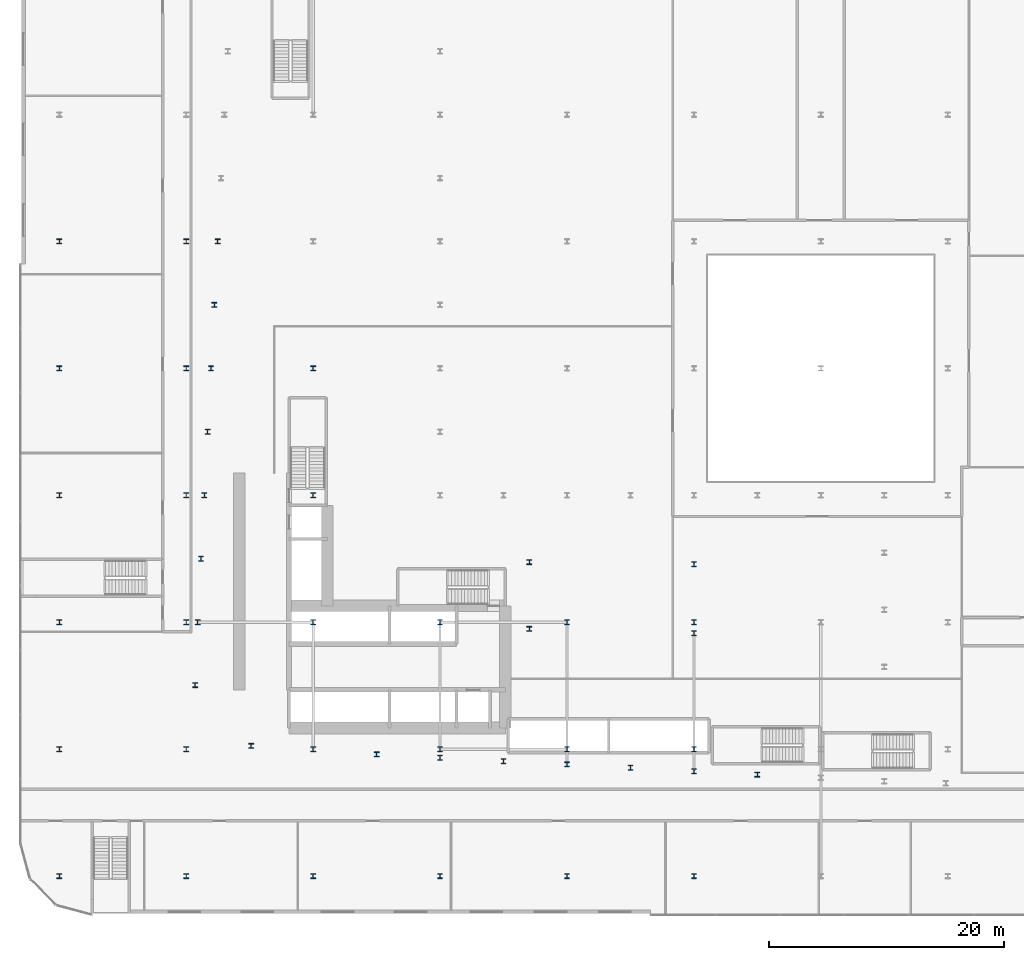
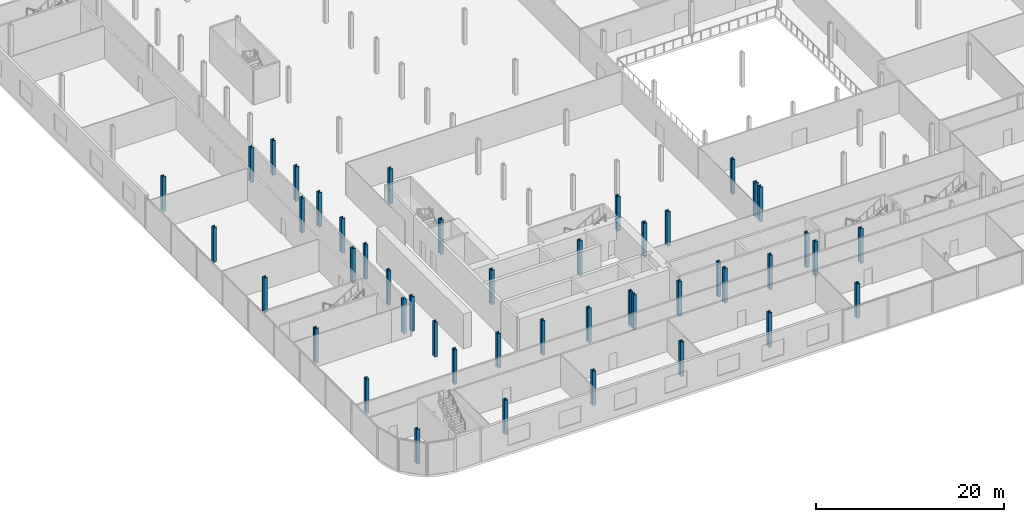
# One storey, part 1 of 47: 46 columns.
"""IFC4 building model written with IfcOpenShell, lengths in metres."""

import ifcopenshell
import ifcopenshell.guid

model = None  # the IFC model being written
_history = None  # IfcOwnerHistory: only IFC2X3 demands one
_inside = {}  # id of a spatial element -> (the spatial element, [elements in it])
_under = {}  # id of a project, library or spatial element -> (it, [spatial elements below it])
_declared = {}  # id of a project -> (the project, [libraries it declares])
_typed = {}  # id of a type object -> (the type object, [elements of that type])
_made_of = {}  # id of a material, layer set ... -> (it, [elements and type objects made of it])


def new_model(schema):
    """Start an empty IFC model of exactly this schema.

    Asked for "IFC4X3", IfcOpenShell would pick the latest addendum, in which some entities
    have other attributes; the version numbers below select the first issue.
    IFC2X3 requires an IfcOwnerHistory on every rooted entity: one is made here for all.
    """
    global model, _history
    if schema == "IFC4X3":
        model = ifcopenshell.file(schema_version=(4, 3, 0, 0))
    else:
        model = ifcopenshell.file(schema=schema)
    _inside.clear()
    _under.clear()
    _declared.clear()
    _typed.clear()
    _made_of.clear()
    _history = None
    if model.schema == "IFC2X3":
        org = make("IfcOrganization", Name="unknown")
        user = make(
            "IfcPersonAndOrganization",
            ThePerson=make("IfcPerson", FamilyName="unknown"),
            TheOrganization=org,
        )
        app = make(
            "IfcApplication",
            ApplicationDeveloper=org,
            Version="unknown",
            ApplicationFullName="unknown",
            ApplicationIdentifier="unknown",
        )
        _history = make(
            "IfcOwnerHistory",
            OwningUser=user,
            OwningApplication=app,
            ChangeAction="ADDED",
            CreationDate=0,
        )
    return model


def make(cls, **values):
    """One entity of the class cls with the attributes given. An attribute that is None is left unset."""
    return model.create_entity(
        cls, **{name: value for name, value in values.items() if value is not None}
    )


def rooted(cls, **values):
    """An entity with a GlobalId (a new one), such as an element, a storey or a relation."""
    return make(cls, GlobalId=ifcopenshell.guid.new(), OwnerHistory=_history, **values)


def si_unit(unit_type, name, prefix=None):
    """IfcSIUnit, for example si_unit("LENGTHUNIT", "METRE", prefix="MILLI")."""
    return make("IfcSIUnit", UnitType=unit_type, Prefix=prefix, Name=name)


def assignment(units):
    """IfcUnitAssignment: the units of a project."""
    return None if units is None else make("IfcUnitAssignment", Units=units)


def point(xyz):
    """IfcCartesianPoint."""
    return None if xyz is None else make("IfcCartesianPoint", Coordinates=xyz)


def direction(xyz):
    """IfcDirection."""
    return None if xyz is None else make("IfcDirection", DirectionRatios=xyz)


def frame(location, z_axis=None, x_axis=None):
    """IfcAxis2Placement3D, a coordinate frame: its origin and axes. An axis left out is left unset."""
    return make(
        "IfcAxis2Placement3D",
        Location=point(location),
        Axis=direction(z_axis),
        RefDirection=direction(x_axis),
    )


def frame_2d(location, x_axis=None):
    """IfcAxis2Placement2D, a coordinate frame in the plane: its origin and x axis."""
    return make(
        "IfcAxis2Placement2D", Location=point(location), RefDirection=direction(x_axis)
    )


def origin():
    """The frame at (0, 0, 0) with its axes left unset."""
    return frame((0.0, 0.0, 0.0))


def origin_2d():
    """The frame at (0, 0) in the plane with its x axis left unset."""
    return frame_2d((0.0, 0.0))


def place(relative_to, where):
    """IfcLocalPlacement: puts the frame where relative to a parent placement (None: the world)."""
    return make(
        "IfcLocalPlacement", PlacementRelTo=relative_to, RelativePlacement=where
    )


def context(
    kind, dimensions, precision=None, world=None, true_north=None, identifier=None
):
    """IfcGeometricRepresentationContext, for example the 3D "Model" context."""
    return make(
        "IfcGeometricRepresentationContext",
        ContextIdentifier=identifier,
        ContextType=kind,
        CoordinateSpaceDimension=dimensions,
        Precision=precision,
        WorldCoordinateSystem=world,
        TrueNorth=true_north,
    )


def subcontext(parent, identifier, kind, view, scale=None):
    """IfcGeometricRepresentationSubContext, for example "Body" below "Model"."""
    return make(
        "IfcGeometricRepresentationSubContext",
        ContextIdentifier=identifier,
        ContextType=kind,
        ParentContext=parent,
        TargetScale=scale,
        TargetView=view,
    )


def project(units=None, contexts=None):
    """IfcProject with its units and contexts."""
    return rooted(
        "IfcProject",
        Name="project",
        RepresentationContexts=contexts,
        UnitsInContext=assignment(units),
    )


def spatial(cls, under=None, at=None, **own):
    """A site, building, storey or space (cls), placed at a placement, below another one or the project."""
    s = rooted(cls, ObjectPlacement=at, **own)
    if under is not None:
        _under.setdefault(under.id(), (under, []))[1].append(s)
    return s


def profile(cls, at=None, kind="AREA", **sizes):
    """A parametric profile (cls). Its sizes go by their IFC names, for example OverallWidth=200.0."""
    return make(cls, ProfileType=kind, Position=at, **sizes)


def i_section(**sizes):
    """IfcIShapeProfileDef."""
    return profile("IfcIShapeProfileDef", **sizes)


def extrude(swept, where, along, depth):
    """IfcExtrudedAreaSolid: the profile swept, set in the frame where, extruded along a direction by depth."""
    return make(
        "IfcExtrudedAreaSolid",
        SweptArea=swept,
        Position=where,
        ExtrudedDirection=direction(along),
        Depth=depth,
    )


def shape(context_of_items, identifier, shape_type, items):
    """IfcShapeRepresentation: the items that make up one representation, for example the "Body"."""
    return make(
        "IfcShapeRepresentation",
        ContextOfItems=context_of_items,
        RepresentationIdentifier=identifier,
        RepresentationType=shape_type,
        Items=items,
    )


def material(Name=None, Category=None):
    """IfcMaterial."""
    return make("IfcMaterial", Name=Name, Category=Category)


def material_profile(
    of_material, cross_section, Name=None, Category=None, Priority=None
):
    """IfcMaterialProfile: a cross section and its material."""
    return make(
        "IfcMaterialProfile",
        Name=Name,
        Material=of_material,
        Profile=cross_section,
        Priority=Priority,
        Category=Category,
    )


def profile_set(profiles, Name=None, composite=None):
    """IfcMaterialProfileSet."""
    return make(
        "IfcMaterialProfileSet",
        Name=Name,
        MaterialProfiles=profiles,
        CompositeProfile=composite,
    )


def made_of(thing, what):
    """Note that an element or type object is made of a material, layer set ...; save() writes the relation."""
    if what is not None:
        _made_of.setdefault(what.id(), (what, []))[1].append(thing)
    return thing


def type_object(cls, material=None, **own):
    """A type object (cls), such as IfcWallType, which elements share."""
    return made_of(rooted(cls, **own), material)


def element(
    cls,
    number,
    at=None,
    inside=None,
    cuts=None,
    type_object=None,
    material=None,
    context=None,
    identifier="Body",
    shape_type=None,
    held_by="IfcProductDefinitionShape",
    body=None,
    shapes=None,
    **own,
):
    """One element of the class cls, such as IfcWall. Its Tag is "e" and its number.

    at: its placement. inside: the storey or other place that contains it. cuts: it is an
    opening in that element (IfcRelVoidsElement). A single representation is given by context,
    identifier, shape_type and body (its items); several are given by shapes. held_by: the class
    of the entity that holds the representations. save() writes the other relations.
    """
    e = rooted(cls, Tag="e%d" % number, ObjectPlacement=at, **own)
    if body is not None:
        shapes = [shape(context, identifier, shape_type, body)]
    if shapes is not None:
        e.Representation = make(held_by, Representations=shapes)
    if inside is not None:
        _inside.setdefault(inside.id(), (inside, []))[1].append(e)
    if cuts is not None:
        rooted(
            "IfcRelVoidsElement", RelatingBuildingElement=cuts, RelatedOpeningElement=e
        )
    if type_object is not None:
        _typed.setdefault(type_object.id(), (type_object, []))[1].append(e)
    return made_of(e, material)


def aggregate(whole, parts):
    """IfcRelAggregates: a whole, such as a stair, and the parts it consists of."""
    return rooted("IfcRelAggregates", RelatingObject=whole, RelatedObjects=parts)


def save(model, path):
    """Write the relations noted so far, then the file.

    IfcRelAggregates (storeys below a building ...), IfcRelContainedInSpatialStructure (elements
    in a storey), IfcRelDefinesByType, IfcRelAssociatesMaterial and IfcRelDeclares: one each for
    every whole, place, type object, material and project.
    """
    for whole, parts in _under.values():
        aggregate(whole, parts)
    for where, things in _inside.values():
        rooted(
            "IfcRelContainedInSpatialStructure",
            RelatedElements=things,
            RelatingStructure=where,
        )
    for kind, things in _typed.values():
        rooted("IfcRelDefinesByType", RelatedObjects=things, RelatingType=kind)
    for what, things in _made_of.values():
        rooted("IfcRelAssociatesMaterial", RelatedObjects=things, RelatingMaterial=what)
    for by, libraries in _declared.values():
        rooted("IfcRelDeclares", RelatingContext=by, RelatedDefinitions=libraries)
    model.write(path)


model = new_model("IFC4")

# Units and contexts
model_context = context("Model", 3, precision=1e-05, world=origin(), true_north=direction((0.0, 1.0)))
body_context = subcontext(model_context, "Body", "Model", "MODEL_VIEW")
ifc_project = project(units=[si_unit("LENGTHUNIT", "METRE"), si_unit("AREAUNIT", "SQUARE_METRE"), si_unit("VOLUMEUNIT", "CUBIC_METRE"), si_unit("PLANEANGLEUNIT", "RADIAN"), si_unit("MASSUNIT", "GRAM", prefix="KILO")], contexts=[model_context])

# Site, building, storey
site_placement = place(None, origin())
site = spatial("IfcSite", under=ifc_project, at=site_placement, CompositionType="ELEMENT")
building_placement = place(site_placement, origin())
building = spatial("IfcBuilding", under=site, at=building_placement, Name="Kheshtan School and Residences Tower", CompositionType="ELEMENT")
storey_placement = place(building_placement, frame((0.0, 0.0, 21.5)))
storey = spatial("IfcBuildingStorey", under=building, at=storey_placement, Name="L04", CompositionType="ELEMENT", Elevation=21.5)

# Columns
ifc_material = material(Name="Steel ASTM A992 Grade 50", Category="steel")
ifc_material_profile = material_profile(ifc_material, i_section(OverallWidth=0.408935546875, OverallDepth=0.425048828125, WebThickness=0.03271484375, FlangeThickness=0.052490234375, FilletRadius=0.0126953125, at=origin_2d()), Name="W360x421")
ifc_profile_set = profile_set([ifc_material_profile], Name="Steel ASTM A992 Grade 50")
column_type = type_object("IfcColumnType", Name="Column PC2 W360x421 ASTM A992 Grade 50", PredefinedType="COLUMN", material=ifc_profile_set)
for number, where, z_axis, x_axis, name in (
    (1, (15.199951171875, 13.199951171875, 0.0), (0.0, 0.0, 1.0), (1.0, 0.0, 0.0), "Column P-001"),
    (2, (26.0, 13.199951171875, 0.0), (0.0, 0.0, 1.0), (1.0, 0.0, 0.0), "Column P-002"),
    (3, (36.800048828125, 13.199951171875, 0.0), (0.0, 0.0, 1.0), (1.0, 0.0, 0.0), "Column P-003"),
    (4, (47.60009765625, 13.199951171875, 0.0), (0.0, 0.0, 1.0), (1.0, 0.0, 0.0), "Column P-004"),
    (5, (58.39990234375, 13.199951171875, 0.0), (0.0, 0.0, 1.0), (1.0, 0.0, 0.0), "Column P-005"),
    (6, (69.199951171875, 13.199951171875, 0.0), (0.0, 0.0, 1.0), (1.0, 0.0, 0.0), "Column P-006"),
    (7, (15.199951171875, 24.0, 0.0), (0.0, 0.0, 1.0), (1.0, 0.0, 0.0), "Column P-013"),
    (8, (26.0, 24.0, 0.0), (0.0, 0.0, 1.0), (1.0, 0.0, 0.0), "Column P-014"),
    (9, (36.800048828125, 24.0, 0.0), (0.0, 0.0, 1.0), (1.0, 0.0, 0.0), "Column P-015"),
    (10, (47.60009765625, 24.0, 0.0), (0.0, 0.0, 1.0), (1.0, 0.0, 0.0), "Column P-016"),
    (11, (58.39990234375, 24.0, 0.0), (0.0, 0.0, 1.0), (1.0, 0.0, 0.0), "Column P-017"),
    (12, (69.199951171875, 24.0, 0.0), (0.0, 0.0, 1.0), (1.0, 0.0, 0.0), "Column P-018"),
    (13, (15.199951171875, 34.800048828125, 0.0), (0.0, 0.0, 1.0), (1.0, 0.0, 0.0), "Column P-025"),
    (14, (26.0, 34.800048828125, 0.0), (0.0, 0.0, 1.0), (1.0, 0.0, 0.0), "Column P-026"),
    (15, (36.800048828125, 34.800048828125, 0.0), (0.0, 0.0, 1.0), (1.0, 0.0, 0.0), "Column P-027"),
    (16, (47.60009765625, 34.800048828125, 0.0), (0.0, 0.0, 1.0), (1.0, 0.0, 0.0), "Column P-028"),
    (17, (58.39990234375, 34.800048828125, 0.0), (0.0, 0.0, 1.0), (1.0, 0.0, 0.0), "Column P-029"),
    (18, (69.199951171875, 34.800048828125, 0.0), (0.0, 0.0, 1.0), (1.0, 0.0, 0.0), "Column P-030"),
    (19, (15.199951171875, 45.60009765625, 0.0), (0.0, 0.0, 1.0), (1.0, 0.0, 0.0), "Column P-037"),
    (20, (26.0, 45.60009765625, 0.0), (0.0, 0.0, 1.0), (1.0, 0.0, 0.0), "Column P-038"),
    (21, (36.800048828125, 45.60009765625, 0.0), (0.0, 0.0, 1.0), (1.0, 0.0, 0.0), "Column P-039"),
    (22, (15.199951171875, 56.39990234375, 0.0), (0.0, 0.0, 1.0), (1.0, 0.0, 0.0), "Column P-049"),
    (23, (26.0, 56.39990234375, 0.0), (0.0, 0.0, 1.0), (1.0, 0.0, 0.0), "Column P-050"),
    (24, (36.800048828125, 56.39990234375, 0.0), (0.0, 0.0, 1.0), (1.0, 0.0, 0.0), "Column P-051"),
    (25, (15.199951171875, 67.199951171875, 0.0), (0.0, 0.0, 1.0), (1.0, 0.0, 0.0), "Column P-061"),
    (26, (26.0, 67.199951171875, 0.0), (0.0, 0.0, 1.0), (1.0, 0.0, 0.0), "Column P-062"),
    (27, (74.60009765625, 21.840087890625, 0.0), (0.0, 0.0, 1.0), (1.0, 0.0, 0.0), "Transfer column X04"),
    (28, (69.199951171875, 22.1298828125, 0.0), (0.0, 0.0, 1.0), (1.0, 0.0, 0.0), "Transfer column X05"),
    (29, (63.800048828125, 22.409912109375, 0.0), (0.0, 0.0, 1.0), (1.0, 0.0, 0.0), "Transfer column X06"),
    (30, (58.39990234375, 22.699951171875, 0.0), (0.0, 0.0, 1.0), (1.0, 0.0, 0.0), "Transfer column X07"),
    (31, (53.0, 22.97998046875, 0.0), (0.0, 0.0, 1.0), (1.0, 0.0, 0.0), "Transfer column X08"),
    (32, (47.60009765625, 23.260009765625, 0.0), (0.0, 0.0, 1.0), (1.0, 0.0, 0.0), "Transfer column X09"),
    (33, (42.199951171875, 23.550048828125, 0.0), (0.0, 0.0, 1.0), (1.0, 0.0, 0.0), "Transfer column X10"),
    (34, (31.52001953125, 24.27001953125, 0.0), (0.0, 0.0, 1.0), (1.0, 0.0, 0.0), "Transfer column X11"),
    (35, (26.760009765625, 29.4599609375, 0.0), (0.0, 0.0, 1.0), (1.0, 0.0, 0.0), "Transfer column X12"),
    (36, (26.969970703125, 34.800048828125, 0.0), (0.0, 0.0, 1.0), (1.0, 0.0, 0.0), "Transfer column X13"),
    (37, (27.25, 40.199951171875, 0.0), (0.0, 0.0, 1.0), (1.0, 0.0, 0.0), "Transfer column X14"),
    (38, (27.5400390625, 45.60009765625, 0.0), (0.0, 0.0, 1.0), (1.0, 0.0, 0.0), "Transfer column X15"),
    (39, (27.820068359375, 51.0, 0.0), (0.0, 0.0, 1.0), (1.0, 0.0, 0.0), "Transfer column X20"),
    (40, (28.110107421875, 56.39990234375, 0.0), (0.0, 0.0, 1.0), (1.0, 0.0, 0.0), "Transfer column X22"),
    (41, (28.389892578125, 61.800048828125, 0.0), (0.0, 0.0, 1.0), (1.0, 0.0, 0.0), "Transfer column X23"),
    (42, (28.669921875, 67.199951171875, 0.0), (0.0, 0.0, 1.0), (1.0, 0.0, 0.0), "Transfer column X25"),
    (43, (69.199951171875, 33.860107421875, 0.0), (0.0, 0.0, 1.0), (1.0, 0.0, 0.0), "Transfer column X36"),
    (44, (55.199951171875, 34.22998046875, 0.0), (0.0, 0.0, 1.0), (1.0, 0.0, 0.0), "Transfer column X37"),
    (45, (69.199951171875, 39.72998046875, 0.0), (0.0, 0.0, 1.0), (1.0, 0.0, 0.0), "Transfer column X39"),
    (46, (55.199951171875, 39.919921875, 0.0), (0.0, 0.0, 1.0), (1.0, 0.0, 0.0), "Transfer column X40"),
):
    element("IfcColumn", number, at=place(storey_placement, frame(where, z_axis=z_axis, x_axis=x_axis)), inside=storey, type_object=column_type, Name=name, PredefinedType="COLUMN", context=body_context, shape_type="SweptSolid", body=[
        extrude(i_section(OverallWidth=0.408935546875, OverallDepth=0.425048828125, WebThickness=0.03271484375, FlangeThickness=0.052490234375, FilletRadius=0.0126953125, at=origin_2d()), origin(), (0.0, 0.0, 1.0), 4.5),
    ])

save(model, "model.ifc")
